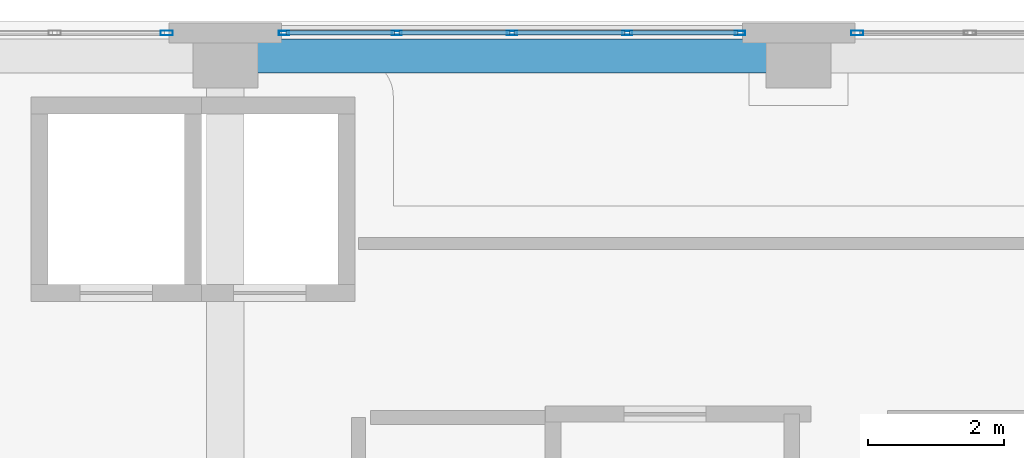
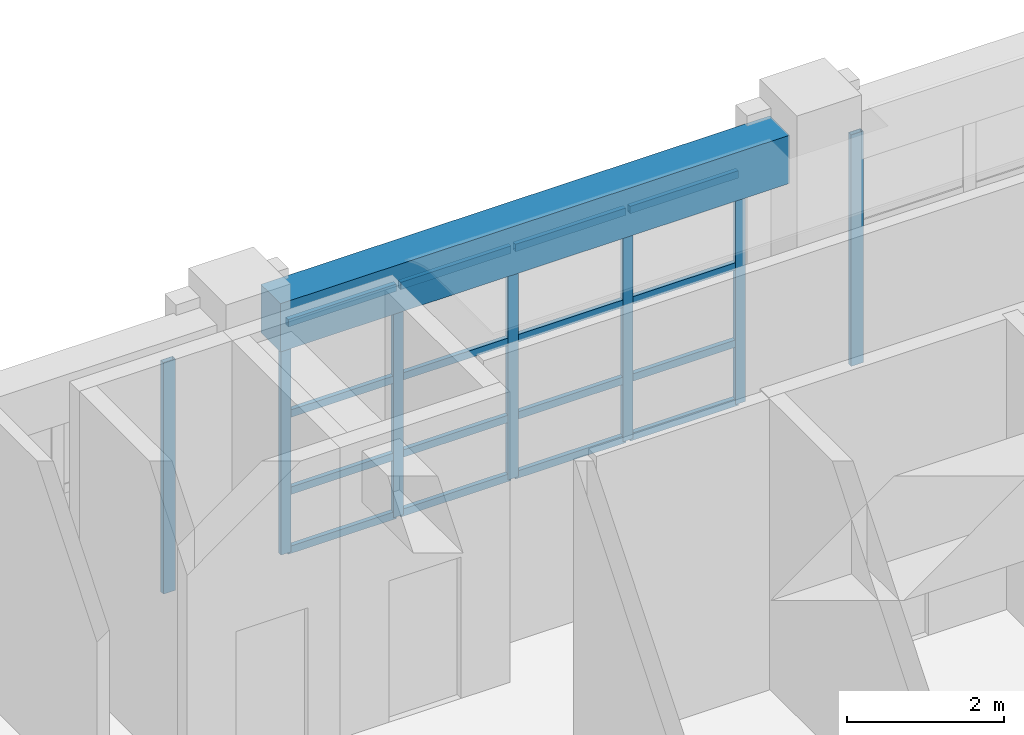
# One storey, part 48 of 123: 23 members, 1 beam, 3 elements without a shape of their own.
"""IFC4 building model written with IfcOpenShell, lengths in metres."""

from ifc_helpers import new_model, si_unit, direction, frame, origin, origin_2d, place, context, subcontext, project, spatial, rectangle, hollow_rectangle, extrude, material, layer, layer_set, material_profile, profile_set, type_object, element, aggregate, save


model = new_model("IFC4")

# Units and contexts
model_context = context("Model", 3, precision=1e-05, world=origin(), true_north=direction((0.0, 1.0)))
body_context = subcontext(model_context, "Body", "Model", "MODEL_VIEW")
ifc_project = project(units=[si_unit("LENGTHUNIT", "METRE"), si_unit("AREAUNIT", "SQUARE_METRE"), si_unit("VOLUMEUNIT", "CUBIC_METRE"), si_unit("PLANEANGLEUNIT", "RADIAN"), si_unit("MASSUNIT", "GRAM", prefix="KILO")], contexts=[model_context])

# Site, building, storey
site_placement = place(None, origin())
site = spatial("IfcSite", under=ifc_project, at=site_placement, CompositionType="ELEMENT")
building_placement = place(site_placement, origin())
building = spatial("IfcBuilding", under=site, at=building_placement, Name="Quendrovan Civic Courthouse", CompositionType="ELEMENT")
storey_placement = place(building_placement, frame((0.0, 0.0, 5.39990234375)))
storey = spatial("IfcBuildingStorey", under=building, at=storey_placement, Name="L02", CompositionType="ELEMENT", Elevation=5.39990234375)

# Beam
ifc_material_1 = material(Name="Concrete C40/50", Category="concrete")
ifc_material_profile_1 = material_profile(ifc_material_1, rectangle(XDim=0.5, YDim=0.75, at=origin_2d()), Name="RC-BM-500x750")
ifc_profile_set_1 = profile_set([ifc_material_profile_1], Name="Concrete C40/50")
beam_type = type_object("IfcBeamType", Name="BM-RC750", PredefinedType="SPANDREL", material=ifc_profile_set_1)
beam_placement = place(storey_placement, frame((50.85498046875, 109.89990234375, 3.985107421875), z_axis=(1.0, 0.0, 0.0), x_axis=(0.0, 1.0, 0.0)))
element("IfcBeam", 1, at=beam_placement, inside=storey, type_object=beam_type, Name="L02 Girder X0593", PredefinedType="SPANDREL", context=body_context, shape_type="SweptSolid", body=[
    extrude(rectangle(XDim=0.5, YDim=0.75, at=origin_2d()), origin(), (0.0, 0.0, 1.0), 7.489990234375),
])

# Curtain wall, member
ifc_material_2 = material(Name="Bronze anodised aluminium and low-E glass", Category="aluminium")
ifc_layer_1 = layer(ifc_material_2, 0.179931640625, Name="Bronze anodised aluminium and low-E glass")
ifc_layer_set_1 = layer_set([ifc_layer_1], Name="Bronze anodised aluminium and low-E glass")
curtain_wall_type_1 = type_object("IfcCurtainWallType", Name="CW-U67x36", PredefinedType="USERDEFINED", material=ifc_layer_set_1)
curtain_wall_1_placement = place(storey_placement, origin())
curtain_wall_1 = element("IfcCurtainWall", 2, at=curtain_wall_1_placement, inside=storey, type_object=curtain_wall_type_1, Name="L02 Unitised Hurricane Curtain Wall CW-082", ObjectType="UNITISED CURTAIN WALL", PredefinedType="USERDEFINED")
ifc_material_3 = material(Name="Bronze anodised aluminium", Category="aluminium")
ifc_material_profile_2 = material_profile(ifc_material_3, hollow_rectangle(XDim=0.070068359375, YDim=0.179931640625, WallThickness=0.00390625, at=origin_2d()), Name="CW-MULL-70x180")
ifc_profile_set_2 = profile_set([ifc_material_profile_2], Name="Bronze anodised aluminium")
member_type_1 = type_object("IfcMemberType", Name="CW-MULL-A", PredefinedType="MULLION", material=ifc_profile_set_2)
member_1_placement = place(storey_placement, frame((49.5400390625, 110.235107421875, 0.0), z_axis=(0.0, 0.0, 1.0), x_axis=(0.0, 1.0, 0.0)))
member_1 = element("IfcMember", 3, at=member_1_placement, type_object=member_type_1, Name="CW-082 mullion 5", PredefinedType="MULLION", context=body_context, shape_type="SweptSolid", body=[
    extrude(hollow_rectangle(XDim=0.070068359375, YDim=0.179931640625, WallThickness=0.00390625, at=origin_2d()), origin(), (0.0, 0.0, 1.0), 3.60009765625),
])
aggregate(curtain_wall_1, [member_1])

ifc_layer_2 = layer(ifc_material_2, 0.179931640625, Name="Bronze anodised aluminium and low-E glass")
ifc_layer_set_2 = layer_set([ifc_layer_2], Name="Bronze anodised aluminium and low-E glass")
curtain_wall_type_2 = type_object("IfcCurtainWallType", Name="CW-U68x36", PredefinedType="USERDEFINED", material=ifc_layer_set_2)
curtain_wall_2_placement = place(storey_placement, origin())
curtain_wall_2 = element("IfcCurtainWall", 4, at=curtain_wall_2_placement, inside=storey, type_object=curtain_wall_type_2, Name="L02 Unitised Hurricane Curtain Wall CW-084", ObjectType="UNITISED CURTAIN WALL", PredefinedType="USERDEFINED")
member_2_placement = place(storey_placement, frame((59.659912109375, 110.235107421875, 0.0), z_axis=(0.0, 0.0, 1.0), x_axis=(0.0, 1.0, 0.0)))
member_2 = element("IfcMember", 5, at=member_2_placement, type_object=member_type_1, Name="CW-084 mullion 1", PredefinedType="MULLION", context=body_context, shape_type="SweptSolid", body=[
    extrude(hollow_rectangle(XDim=0.070068359375, YDim=0.179931640625, WallThickness=0.00390625, at=origin_2d()), origin(), (0.0, 0.0, 1.0), 3.60009765625),
])
aggregate(curtain_wall_2, [member_2])

# Curtain wall, members
curtain_wall_3_placement = place(storey_placement, origin())
curtain_wall_3 = element("IfcCurtainWall", 6, at=curtain_wall_3_placement, inside=storey, type_object=curtain_wall_type_2, Name="L02 Unitised Hurricane Curtain Wall CW-083", ObjectType="UNITISED CURTAIN WALL", PredefinedType="USERDEFINED")
ifc_material_profile_3 = material_profile(ifc_material_3, hollow_rectangle(XDim=0.06494140625, YDim=0.14990234375, WallThickness=0.00390625, at=origin_2d()), Name="CW-MULL-65x150")
ifc_profile_set_3 = profile_set([ifc_material_profile_3], Name="Bronze anodised aluminium")
member_type_2 = type_object("IfcMemberType", Name="CW-MULL-B", PredefinedType="MULLION", material=ifc_profile_set_3)
member_3_placement = place(storey_placement, frame((51.257568359375, 110.235107421875, 0.0), z_axis=(0.0, 0.0, 1.0), x_axis=(0.0, 1.0, 0.0)))
member_3 = element("IfcMember", 7, at=member_3_placement, type_object=member_type_2, Name="CW-083 mullion 1", PredefinedType="MULLION", context=body_context, shape_type="SweptSolid", body=[
    extrude(hollow_rectangle(XDim=0.06494140625, YDim=0.14990234375, WallThickness=0.00390625, at=origin_2d()), origin(), (0.0, 0.0, 1.0), 3.60009765625),
])
member_4_placement = place(storey_placement, frame((52.91259765625, 110.235107421875, 0.0), z_axis=(0.0, 0.0, 1.0), x_axis=(0.0, 1.0, 0.0)))
member_4 = element("IfcMember", 8, at=member_4_placement, type_object=member_type_2, Name="CW-083 mullion 2", PredefinedType="MULLION", context=body_context, shape_type="SweptSolid", body=[
    extrude(hollow_rectangle(XDim=0.06494140625, YDim=0.14990234375, WallThickness=0.00390625, at=origin_2d()), origin(), (0.0, 0.0, 1.0), 3.60009765625),
])
member_5_placement = place(storey_placement, frame((54.60009765625, 110.235107421875, 0.0), z_axis=(0.0, 0.0, 1.0), x_axis=(0.0, 1.0, 0.0)))
member_5 = element("IfcMember", 9, at=member_5_placement, type_object=member_type_2, Name="CW-083 mullion 3", PredefinedType="MULLION", context=body_context, shape_type="SweptSolid", body=[
    extrude(hollow_rectangle(XDim=0.06494140625, YDim=0.14990234375, WallThickness=0.00390625, at=origin_2d()), origin(), (0.0, 0.0, 1.0), 3.60009765625),
])
member_6_placement = place(storey_placement, frame((56.28759765625, 110.235107421875, 0.0), z_axis=(0.0, 0.0, 1.0), x_axis=(0.0, 1.0, 0.0)))
member_6 = element("IfcMember", 10, at=member_6_placement, type_object=member_type_2, Name="CW-083 mullion 4", PredefinedType="MULLION", context=body_context, shape_type="SweptSolid", body=[
    extrude(hollow_rectangle(XDim=0.06494140625, YDim=0.14990234375, WallThickness=0.00390625, at=origin_2d()), origin(), (0.0, 0.0, 1.0), 3.60009765625),
])
member_7_placement = place(storey_placement, frame((57.9423828125, 110.235107421875, 0.0), z_axis=(0.0, 0.0, 1.0), x_axis=(0.0, 1.0, 0.0)))
member_7 = element("IfcMember", 11, at=member_7_placement, type_object=member_type_2, Name="CW-083 mullion 5", PredefinedType="MULLION", context=body_context, shape_type="SweptSolid", body=[
    extrude(hollow_rectangle(XDim=0.06494140625, YDim=0.14990234375, WallThickness=0.00390625, at=origin_2d()), origin(), (0.0, 0.0, 1.0), 3.60009765625),
])
ifc_material_profile_4 = material_profile(ifc_material_3, hollow_rectangle(XDim=0.06494140625, YDim=0.114990234375, WallThickness=0.00390625, at=origin_2d()), Name="CW-TRAN-65x115")
ifc_profile_set_4 = profile_set([ifc_material_profile_4], Name="Bronze anodised aluminium")
member_type_3 = type_object("IfcMemberType", Name="CW-TRAN-B", PredefinedType="USERDEFINED", material=ifc_profile_set_4)
member_8_placement = place(storey_placement, frame((51.2900390625, 110.235107421875, 0.03271484375), z_axis=(1.0, 0.0, 0.0), x_axis=(0.0, 1.0, 0.0)))
member_8 = element("IfcMember", 12, at=member_8_placement, type_object=member_type_3, Name="CW-083 transom 1.1", ObjectType="TRANSOM", PredefinedType="USERDEFINED", context=body_context, shape_type="SweptSolid", body=[
    extrude(hollow_rectangle(XDim=0.06494140625, YDim=0.114990234375, WallThickness=0.00390625, at=origin_2d()), origin(), (0.0, 0.0, 1.0), 1.58984375),
])
member_9_placement = place(storey_placement, frame((51.2900390625, 110.235107421875, 0.9501953125), z_axis=(1.0, 0.0, 0.0), x_axis=(0.0, 1.0, 0.0)))
member_9 = element("IfcMember", 13, at=member_9_placement, type_object=member_type_3, Name="CW-083 transom 1.2", ObjectType="TRANSOM", PredefinedType="USERDEFINED", context=body_context, shape_type="SweptSolid", body=[
    extrude(hollow_rectangle(XDim=0.06494140625, YDim=0.114990234375, WallThickness=0.00390625, at=origin_2d()), origin(), (0.0, 0.0, 1.0), 1.58984375),
])
member_10_placement = place(storey_placement, frame((51.2900390625, 110.235107421875, 2.150146484375), z_axis=(1.0, 0.0, 0.0), x_axis=(0.0, 1.0, 0.0)))
member_10 = element("IfcMember", 14, at=member_10_placement, type_object=member_type_3, Name="CW-083 transom 1.3", ObjectType="TRANSOM", PredefinedType="USERDEFINED", context=body_context, shape_type="SweptSolid", body=[
    extrude(hollow_rectangle(XDim=0.06494140625, YDim=0.114990234375, WallThickness=0.00390625, at=origin_2d()), origin(), (0.0, 0.0, 1.0), 1.58984375),
])
member_11_placement = place(storey_placement, frame((51.2900390625, 110.235107421875, 3.567626953125), z_axis=(1.0, 0.0, 0.0), x_axis=(0.0, 1.0, 0.0)))
member_11 = element("IfcMember", 15, at=member_11_placement, type_object=member_type_3, Name="CW-083 transom 1.4", ObjectType="TRANSOM", PredefinedType="USERDEFINED", context=body_context, shape_type="SweptSolid", body=[
    extrude(hollow_rectangle(XDim=0.06494140625, YDim=0.114990234375, WallThickness=0.00390625, at=origin_2d()), origin(), (0.0, 0.0, 1.0), 1.58984375),
])
member_12_placement = place(storey_placement, frame((52.945068359375, 110.235107421875, 0.03271484375), z_axis=(1.0, 0.0, 0.0), x_axis=(0.0, 1.0, 0.0)))
member_12 = element("IfcMember", 16, at=member_12_placement, type_object=member_type_3, Name="CW-083 transom 2.1", ObjectType="TRANSOM", PredefinedType="USERDEFINED", context=body_context, shape_type="SweptSolid", body=[
    extrude(hollow_rectangle(XDim=0.06494140625, YDim=0.114990234375, WallThickness=0.00390625, at=origin_2d()), origin(), (0.0, 0.0, 1.0), 1.622314453125),
])
member_13_placement = place(storey_placement, frame((52.945068359375, 110.235107421875, 0.9501953125), z_axis=(1.0, 0.0, 0.0), x_axis=(0.0, 1.0, 0.0)))
member_13 = element("IfcMember", 17, at=member_13_placement, type_object=member_type_3, Name="CW-083 transom 2.2", ObjectType="TRANSOM", PredefinedType="USERDEFINED", context=body_context, shape_type="SweptSolid", body=[
    extrude(hollow_rectangle(XDim=0.06494140625, YDim=0.114990234375, WallThickness=0.00390625, at=origin_2d()), origin(), (0.0, 0.0, 1.0), 1.622314453125),
])
member_14_placement = place(storey_placement, frame((52.945068359375, 110.235107421875, 2.150146484375), z_axis=(1.0, 0.0, 0.0), x_axis=(0.0, 1.0, 0.0)))
member_14 = element("IfcMember", 18, at=member_14_placement, type_object=member_type_3, Name="CW-083 transom 2.3", ObjectType="TRANSOM", PredefinedType="USERDEFINED", context=body_context, shape_type="SweptSolid", body=[
    extrude(hollow_rectangle(XDim=0.06494140625, YDim=0.114990234375, WallThickness=0.00390625, at=origin_2d()), origin(), (0.0, 0.0, 1.0), 1.622314453125),
])
member_15_placement = place(storey_placement, frame((52.945068359375, 110.235107421875, 3.567626953125), z_axis=(1.0, 0.0, 0.0), x_axis=(0.0, 1.0, 0.0)))
member_15 = element("IfcMember", 19, at=member_15_placement, type_object=member_type_3, Name="CW-083 transom 2.4", ObjectType="TRANSOM", PredefinedType="USERDEFINED", context=body_context, shape_type="SweptSolid", body=[
    extrude(hollow_rectangle(XDim=0.06494140625, YDim=0.114990234375, WallThickness=0.00390625, at=origin_2d()), origin(), (0.0, 0.0, 1.0), 1.622314453125),
])
member_16_placement = place(storey_placement, frame((54.632568359375, 110.235107421875, 0.03271484375), z_axis=(1.0, 0.0, 0.0), x_axis=(0.0, 1.0, 0.0)))
member_16 = element("IfcMember", 20, at=member_16_placement, type_object=member_type_3, Name="CW-083 transom 3.1", ObjectType="TRANSOM", PredefinedType="USERDEFINED", context=body_context, shape_type="SweptSolid", body=[
    extrude(hollow_rectangle(XDim=0.06494140625, YDim=0.114990234375, WallThickness=0.00390625, at=origin_2d()), origin(), (0.0, 0.0, 1.0), 1.622314453125),
])
member_17_placement = place(storey_placement, frame((54.632568359375, 110.235107421875, 0.9501953125), z_axis=(1.0, 0.0, 0.0), x_axis=(0.0, 1.0, 0.0)))
member_17 = element("IfcMember", 21, at=member_17_placement, type_object=member_type_3, Name="CW-083 transom 3.2", ObjectType="TRANSOM", PredefinedType="USERDEFINED", context=body_context, shape_type="SweptSolid", body=[
    extrude(hollow_rectangle(XDim=0.06494140625, YDim=0.114990234375, WallThickness=0.00390625, at=origin_2d()), origin(), (0.0, 0.0, 1.0), 1.622314453125),
])
member_18_placement = place(storey_placement, frame((54.632568359375, 110.235107421875, 2.150146484375), z_axis=(1.0, 0.0, 0.0), x_axis=(0.0, 1.0, 0.0)))
member_18 = element("IfcMember", 22, at=member_18_placement, type_object=member_type_3, Name="CW-083 transom 3.3", ObjectType="TRANSOM", PredefinedType="USERDEFINED", context=body_context, shape_type="SweptSolid", body=[
    extrude(hollow_rectangle(XDim=0.06494140625, YDim=0.114990234375, WallThickness=0.00390625, at=origin_2d()), origin(), (0.0, 0.0, 1.0), 1.622314453125),
])
member_19_placement = place(storey_placement, frame((54.632568359375, 110.235107421875, 3.567626953125), z_axis=(1.0, 0.0, 0.0), x_axis=(0.0, 1.0, 0.0)))
member_19 = element("IfcMember", 23, at=member_19_placement, type_object=member_type_3, Name="CW-083 transom 3.4", ObjectType="TRANSOM", PredefinedType="USERDEFINED", context=body_context, shape_type="SweptSolid", body=[
    extrude(hollow_rectangle(XDim=0.06494140625, YDim=0.114990234375, WallThickness=0.00390625, at=origin_2d()), origin(), (0.0, 0.0, 1.0), 1.622314453125),
])
member_20_placement = place(storey_placement, frame((56.320068359375, 110.235107421875, 0.03271484375), z_axis=(1.0, 0.0, 0.0), x_axis=(0.0, 1.0, 0.0)))
member_20 = element("IfcMember", 24, at=member_20_placement, type_object=member_type_3, Name="CW-083 transom 4.1", ObjectType="TRANSOM", PredefinedType="USERDEFINED", context=body_context, shape_type="SweptSolid", body=[
    extrude(hollow_rectangle(XDim=0.06494140625, YDim=0.114990234375, WallThickness=0.00390625, at=origin_2d()), origin(), (0.0, 0.0, 1.0), 1.58984375),
])
member_21_placement = place(storey_placement, frame((56.320068359375, 110.235107421875, 0.9501953125), z_axis=(1.0, 0.0, 0.0), x_axis=(0.0, 1.0, 0.0)))
member_21 = element("IfcMember", 25, at=member_21_placement, type_object=member_type_3, Name="CW-083 transom 4.2", ObjectType="TRANSOM", PredefinedType="USERDEFINED", context=body_context, shape_type="SweptSolid", body=[
    extrude(hollow_rectangle(XDim=0.06494140625, YDim=0.114990234375, WallThickness=0.00390625, at=origin_2d()), origin(), (0.0, 0.0, 1.0), 1.58984375),
])
member_22_placement = place(storey_placement, frame((56.320068359375, 110.235107421875, 2.150146484375), z_axis=(1.0, 0.0, 0.0), x_axis=(0.0, 1.0, 0.0)))
member_22 = element("IfcMember", 26, at=member_22_placement, type_object=member_type_3, Name="CW-083 transom 4.3", ObjectType="TRANSOM", PredefinedType="USERDEFINED", context=body_context, shape_type="SweptSolid", body=[
    extrude(hollow_rectangle(XDim=0.06494140625, YDim=0.114990234375, WallThickness=0.00390625, at=origin_2d()), origin(), (0.0, 0.0, 1.0), 1.58984375),
])
member_23_placement = place(storey_placement, frame((56.320068359375, 110.235107421875, 3.567626953125), z_axis=(1.0, 0.0, 0.0), x_axis=(0.0, 1.0, 0.0)))
member_23 = element("IfcMember", 27, at=member_23_placement, type_object=member_type_3, Name="CW-083 transom 4.4", ObjectType="TRANSOM", PredefinedType="USERDEFINED", context=body_context, shape_type="SweptSolid", body=[
    extrude(hollow_rectangle(XDim=0.06494140625, YDim=0.114990234375, WallThickness=0.00390625, at=origin_2d()), origin(), (0.0, 0.0, 1.0), 1.58984375),
])
aggregate(curtain_wall_3, [member_3, member_4, member_5, member_6, member_7, member_8, member_9, member_10, member_11, member_12, member_13, member_14, member_15, member_16, member_17, member_18, member_19, member_20, member_21, member_22, member_23])

save(model, "model.ifc")
